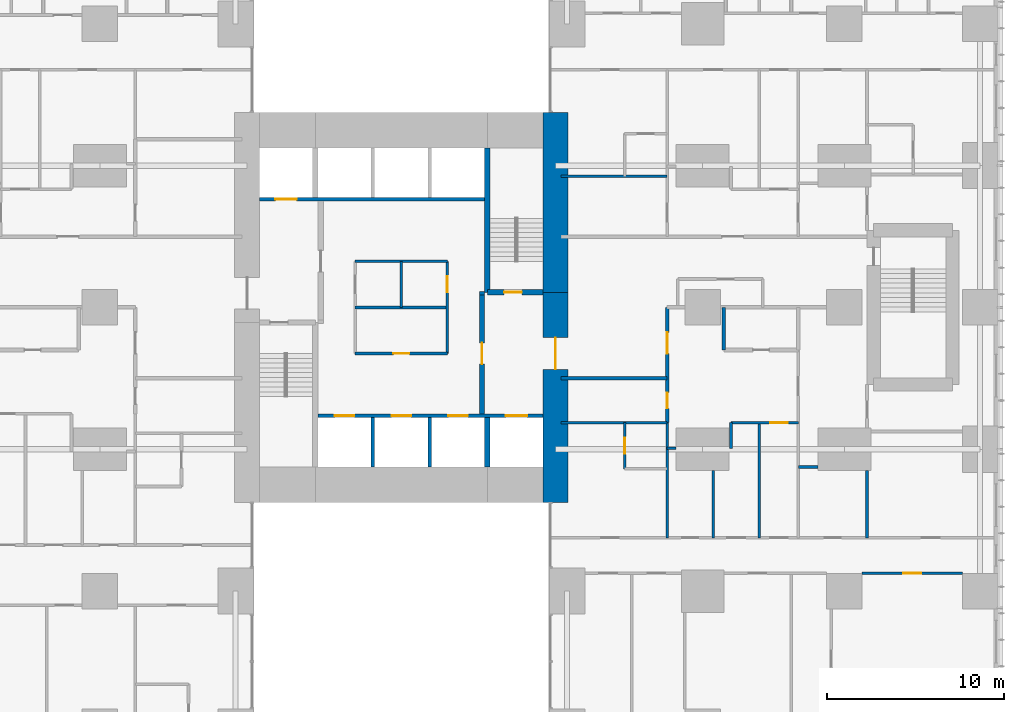
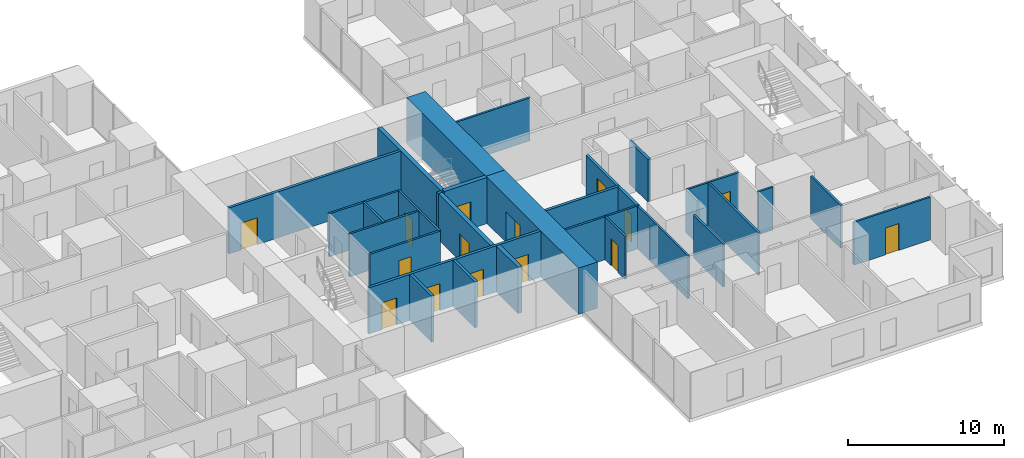
# One storey, part 15 of 20: 31 walls, 15 doors, 15 openings.
"""IFC4 building model written with IfcOpenShell, lengths in metres."""

import ifcopenshell
import ifcopenshell.guid

model = None  # the IFC model being written
_history = None  # IfcOwnerHistory: only IFC2X3 demands one
_inside = {}  # id of a spatial element -> (the spatial element, [elements in it])
_under = {}  # id of a project, library or spatial element -> (it, [spatial elements below it])
_declared = {}  # id of a project -> (the project, [libraries it declares])
_typed = {}  # id of a type object -> (the type object, [elements of that type])
_made_of = {}  # id of a material, layer set ... -> (it, [elements and type objects made of it])


def new_model(schema):
    """Start an empty IFC model of exactly this schema.

    Asked for "IFC4X3", IfcOpenShell would pick the latest addendum, in which some entities
    have other attributes; the version numbers below select the first issue.
    IFC2X3 requires an IfcOwnerHistory on every rooted entity: one is made here for all.
    """
    global model, _history
    if schema == "IFC4X3":
        model = ifcopenshell.file(schema_version=(4, 3, 0, 0))
    else:
        model = ifcopenshell.file(schema=schema)
    _inside.clear()
    _under.clear()
    _declared.clear()
    _typed.clear()
    _made_of.clear()
    _history = None
    if model.schema == "IFC2X3":
        org = make("IfcOrganization", Name="unknown")
        user = make(
            "IfcPersonAndOrganization",
            ThePerson=make("IfcPerson", FamilyName="unknown"),
            TheOrganization=org,
        )
        app = make(
            "IfcApplication",
            ApplicationDeveloper=org,
            Version="unknown",
            ApplicationFullName="unknown",
            ApplicationIdentifier="unknown",
        )
        _history = make(
            "IfcOwnerHistory",
            OwningUser=user,
            OwningApplication=app,
            ChangeAction="ADDED",
            CreationDate=0,
        )
    return model


def make(cls, **values):
    """One entity of the class cls with the attributes given. An attribute that is None is left unset."""
    return model.create_entity(
        cls, **{name: value for name, value in values.items() if value is not None}
    )


def rooted(cls, **values):
    """An entity with a GlobalId (a new one), such as an element, a storey or a relation."""
    return make(cls, GlobalId=ifcopenshell.guid.new(), OwnerHistory=_history, **values)


def si_unit(unit_type, name, prefix=None):
    """IfcSIUnit, for example si_unit("LENGTHUNIT", "METRE", prefix="MILLI")."""
    return make("IfcSIUnit", UnitType=unit_type, Prefix=prefix, Name=name)


def assignment(units):
    """IfcUnitAssignment: the units of a project."""
    return None if units is None else make("IfcUnitAssignment", Units=units)


def point(xyz):
    """IfcCartesianPoint."""
    return None if xyz is None else make("IfcCartesianPoint", Coordinates=xyz)


def direction(xyz):
    """IfcDirection."""
    return None if xyz is None else make("IfcDirection", DirectionRatios=xyz)


def frame(location, z_axis=None, x_axis=None):
    """IfcAxis2Placement3D, a coordinate frame: its origin and axes. An axis left out is left unset."""
    return make(
        "IfcAxis2Placement3D",
        Location=point(location),
        Axis=direction(z_axis),
        RefDirection=direction(x_axis),
    )


def frame_2d(location, x_axis=None):
    """IfcAxis2Placement2D, a coordinate frame in the plane: its origin and x axis."""
    return make(
        "IfcAxis2Placement2D", Location=point(location), RefDirection=direction(x_axis)
    )


def origin():
    """The frame at (0, 0, 0) with its axes left unset."""
    return frame((0.0, 0.0, 0.0))


def place(relative_to, where):
    """IfcLocalPlacement: puts the frame where relative to a parent placement (None: the world)."""
    return make(
        "IfcLocalPlacement", PlacementRelTo=relative_to, RelativePlacement=where
    )


def context(
    kind, dimensions, precision=None, world=None, true_north=None, identifier=None
):
    """IfcGeometricRepresentationContext, for example the 3D "Model" context."""
    return make(
        "IfcGeometricRepresentationContext",
        ContextIdentifier=identifier,
        ContextType=kind,
        CoordinateSpaceDimension=dimensions,
        Precision=precision,
        WorldCoordinateSystem=world,
        TrueNorth=true_north,
    )


def subcontext(parent, identifier, kind, view, scale=None):
    """IfcGeometricRepresentationSubContext, for example "Body" below "Model"."""
    return make(
        "IfcGeometricRepresentationSubContext",
        ContextIdentifier=identifier,
        ContextType=kind,
        ParentContext=parent,
        TargetScale=scale,
        TargetView=view,
    )


def project(units=None, contexts=None):
    """IfcProject with its units and contexts."""
    return rooted(
        "IfcProject",
        Name="project",
        RepresentationContexts=contexts,
        UnitsInContext=assignment(units),
    )


def spatial(cls, under=None, at=None, **own):
    """A site, building, storey or space (cls), placed at a placement, below another one or the project."""
    s = rooted(cls, ObjectPlacement=at, **own)
    if under is not None:
        _under.setdefault(under.id(), (under, []))[1].append(s)
    return s


def profile(cls, at=None, kind="AREA", **sizes):
    """A parametric profile (cls). Its sizes go by their IFC names, for example OverallWidth=200.0."""
    return make(cls, ProfileType=kind, Position=at, **sizes)


def rectangle(**sizes):
    """IfcRectangleProfileDef."""
    return profile("IfcRectangleProfileDef", **sizes)


def extrude(swept, where, along, depth):
    """IfcExtrudedAreaSolid: the profile swept, set in the frame where, extruded along a direction by depth."""
    return make(
        "IfcExtrudedAreaSolid",
        SweptArea=swept,
        Position=where,
        ExtrudedDirection=direction(along),
        Depth=depth,
    )


def shape(context_of_items, identifier, shape_type, items):
    """IfcShapeRepresentation: the items that make up one representation, for example the "Body"."""
    return make(
        "IfcShapeRepresentation",
        ContextOfItems=context_of_items,
        RepresentationIdentifier=identifier,
        RepresentationType=shape_type,
        Items=items,
    )


def material(Name=None, Category=None):
    """IfcMaterial."""
    return make("IfcMaterial", Name=Name, Category=Category)


def layer(
    of_material, thickness, ventilated=None, Name=None, Category=None, Priority=None
):
    """IfcMaterialLayer: one layer of a wall or slab, of a material (None: an air gap)."""
    return make(
        "IfcMaterialLayer",
        Material=of_material,
        LayerThickness=thickness,
        IsVentilated=ventilated,
        Name=Name,
        Category=Category,
        Priority=Priority,
    )


def layer_set(layers, Name=None):
    """IfcMaterialLayerSet."""
    return make("IfcMaterialLayerSet", MaterialLayers=layers, LayerSetName=Name)


def made_of(thing, what):
    """Note that an element or type object is made of a material, layer set ...; save() writes the relation."""
    if what is not None:
        _made_of.setdefault(what.id(), (what, []))[1].append(thing)
    return thing


def type_object(cls, material=None, **own):
    """A type object (cls), such as IfcWallType, which elements share."""
    return made_of(rooted(cls, **own), material)


def element(
    cls,
    number,
    at=None,
    inside=None,
    cuts=None,
    type_object=None,
    material=None,
    context=None,
    identifier="Body",
    shape_type=None,
    held_by="IfcProductDefinitionShape",
    body=None,
    shapes=None,
    **own,
):
    """One element of the class cls, such as IfcWall. Its Tag is "e" and its number.

    at: its placement. inside: the storey or other place that contains it. cuts: it is an
    opening in that element (IfcRelVoidsElement). A single representation is given by context,
    identifier, shape_type and body (its items); several are given by shapes. held_by: the class
    of the entity that holds the representations. save() writes the other relations.
    """
    e = rooted(cls, Tag="e%d" % number, ObjectPlacement=at, **own)
    if body is not None:
        shapes = [shape(context, identifier, shape_type, body)]
    if shapes is not None:
        e.Representation = make(held_by, Representations=shapes)
    if inside is not None:
        _inside.setdefault(inside.id(), (inside, []))[1].append(e)
    if cuts is not None:
        rooted(
            "IfcRelVoidsElement", RelatingBuildingElement=cuts, RelatedOpeningElement=e
        )
    if type_object is not None:
        _typed.setdefault(type_object.id(), (type_object, []))[1].append(e)
    return made_of(e, material)


def fill(opening, filler):
    """IfcRelFillsElement: the door or window that sits in an opening."""
    return rooted(
        "IfcRelFillsElement",
        RelatingOpeningElement=opening,
        RelatedBuildingElement=filler,
    )


def aggregate(whole, parts):
    """IfcRelAggregates: a whole, such as a stair, and the parts it consists of."""
    return rooted("IfcRelAggregates", RelatingObject=whole, RelatedObjects=parts)


def save(model, path):
    """Write the relations noted so far, then the file.

    IfcRelAggregates (storeys below a building ...), IfcRelContainedInSpatialStructure (elements
    in a storey), IfcRelDefinesByType, IfcRelAssociatesMaterial and IfcRelDeclares: one each for
    every whole, place, type object, material and project.
    """
    for whole, parts in _under.values():
        aggregate(whole, parts)
    for where, things in _inside.values():
        rooted(
            "IfcRelContainedInSpatialStructure",
            RelatedElements=things,
            RelatingStructure=where,
        )
    for kind, things in _typed.values():
        rooted("IfcRelDefinesByType", RelatedObjects=things, RelatingType=kind)
    for what, things in _made_of.values():
        rooted("IfcRelAssociatesMaterial", RelatedObjects=things, RelatingMaterial=what)
    for by, libraries in _declared.values():
        rooted("IfcRelDeclares", RelatingContext=by, RelatedDefinitions=libraries)
    model.write(path)


model = new_model("IFC4")

# Units and contexts
model_context = context("Model", 3, precision=1e-05, world=origin(), true_north=direction((0.0, 1.0)))
body_context = subcontext(model_context, "Body", "Model", "MODEL_VIEW")
ifc_project = project(units=[si_unit("LENGTHUNIT", "METRE"), si_unit("AREAUNIT", "SQUARE_METRE"), si_unit("VOLUMEUNIT", "CUBIC_METRE"), si_unit("PLANEANGLEUNIT", "RADIAN"), si_unit("MASSUNIT", "GRAM", prefix="KILO")], contexts=[model_context])

# Site, building, storey
site_placement = place(None, origin())
site = spatial("IfcSite", under=ifc_project, at=site_placement, CompositionType="ELEMENT")
building_placement = place(site_placement, origin())
building = spatial("IfcBuilding", under=site, at=building_placement, Name="Cleftline Residences", CompositionType="ELEMENT")
storey_placement = place(building_placement, frame((0.0, 0.0, 164.60009765625)))
storey = spatial("IfcBuildingStorey", under=building, at=storey_placement, Name="L43", CompositionType="ELEMENT", Elevation=164.60009765625)

# Wall, opening, door
ifc_material_1 = material(Name="Concrete B70", Category="concrete")
ifc_layer_1 = layer(ifc_material_1, 1.39990234375)
ifc_layer_set_1 = layer_set([ifc_layer_1], Name="CORE WALL 1400")
wall_type_1 = type_object("IfcWallType", Name="CORE WALL 1400", PredefinedType="SHEAR", material=ifc_layer_set_1)
wall_1_placement = place(storey_placement, frame((41.699951171875, 13.0, 0.0), z_axis=(0.0, 0.0, 1.0), x_axis=(0.0, 1.0, 0.0)))
wall_1 = element("IfcWall", 1, at=wall_1_placement, inside=storey, type_object=wall_type_1, Name="Core wall E", PredefinedType="SHEAR", context=body_context, shape_type="SweptSolid", body=[
    extrude(rectangle(XDim=11.85009765625, YDim=1.39990234375, at=frame_2d((5.925048828125, 0.0))), origin(), (0.0, 0.0, 1.0), 3.599853515625),
])
opening_1_placement = place(wall_1_placement, frame((7.5, 0.0, 0.0)))
opening_1 = element("IfcOpeningElement", 2, at=opening_1_placement, cuts=wall_1, Name="Opening D7", PredefinedType="OPENING", context=body_context, shape_type="SweptSolid", body=[
    extrude(rectangle(XDim=1.800048828125, YDim=2.39990234375, at=frame_2d((0.89990234375, 1.199951171875))), frame((0.0, 0.7099609375, 0.0), z_axis=(0.0, -1.0, 0.0), x_axis=(1.0, 0.0, 0.0)), (0.0, 0.0, 1.0), 1.419921875),
])
ifc_material_2 = material(Name="Steel", Category="steel")
door_type_1 = type_object("IfcDoorType", Name="WING DOOR 1800X2400", OperationType="DOUBLE_DOOR_DOUBLE_SWING", PredefinedType="DOOR", material=ifc_material_2)
door_1_placement = place(opening_1_placement, origin())
door_1 = element("IfcDoor", 3, at=door_1_placement, inside=storey, type_object=door_type_1, Name="East wing door", OperationType="DOUBLE_DOOR_DOUBLE_SWING", OverallHeight=2.39990234375, OverallWidth=1.800048828125, PredefinedType="DOOR", context=body_context, shape_type="SweptSolid", body=[
    extrude(rectangle(XDim=1.800048828125, YDim=2.39990234375, at=frame_2d((0.89990234375, 1.199951171875))), frame((0.0, 0.02490234375, 0.0), z_axis=(0.0, -1.0, 0.0), x_axis=(1.0, 0.0, 0.0)), (0.0, 0.0, 1.0), 0.050048828125),
])
fill(opening_1, door_1)

# Walls
wall_2_placement = place(storey_placement, frame((41.699951171875, 24.85009765625, 0.0), z_axis=(0.0, 0.0, 1.0), x_axis=(0.0, 1.0, 0.0)))
element("IfcWall", 4, at=wall_2_placement, inside=storey, type_object=wall_type_1, Name="Core wall E1", PredefinedType="SHEAR", context=body_context, shape_type="SweptSolid", body=[
    extrude(rectangle(XDim=10.14990234375, YDim=1.39990234375, at=frame_2d((5.074951171875, 0.0))), origin(), (0.0, 0.0, 1.0), 3.599853515625),
])
ifc_material_3 = material(Name="Concrete B70", Category="concrete")
ifc_layer_2 = layer(ifc_material_3, 0.300048828125)
ifc_layer_set_2 = layer_set([ifc_layer_2], Name="CORE WALL 300")
wall_type_2 = type_object("IfcWallType", Name="CORE WALL 300", PredefinedType="SHEAR", material=ifc_layer_set_2)
wall_3_placement = place(storey_placement, frame((37.85009765625, 24.85009765625, 0.0), z_axis=(0.0, 0.0, 1.0), x_axis=(0.0, 1.0, 0.0)))
element("IfcWall", 5, at=wall_3_placement, inside=storey, type_object=wall_type_2, Name="Core wall SB-W", PredefinedType="SHEAR", context=body_context, shape_type="SweptSolid", body=[
    extrude(rectangle(XDim=8.14990234375, YDim=0.300048828125, at=frame_2d((4.074951171875, 0.0))), origin(), (0.0, 0.0, 1.0), 3.599853515625),
])

# Wall, opening, door
wall_4_placement = place(storey_placement, frame((37.85009765625, 24.85009765625, 0.0), z_axis=(0.0, 0.0, 1.0), x_axis=(1.0, 0.0, 0.0)))
wall_4 = element("IfcWall", 6, at=wall_4_placement, inside=storey, type_object=wall_type_2, Name="Core wall SB-S", PredefinedType="SHEAR", context=body_context, shape_type="SweptSolid", body=[
    extrude(rectangle(XDim=3.14990234375, YDim=0.300048828125, at=frame_2d((1.574951171875, 0.0))), origin(), (0.0, 0.0, 1.0), 3.599853515625),
])
opening_2_placement = place(wall_4_placement, frame((0.949951171875, 0.0, 0.0)))
opening_2 = element("IfcOpeningElement", 7, at=opening_2_placement, cuts=wall_4, Name="Opening D5", PredefinedType="OPENING", context=body_context, shape_type="SweptSolid", body=[
    extrude(rectangle(XDim=1.0, YDim=2.10009765625, at=frame_2d((0.5, 1.050048828125))), frame((0.0, 0.159912109375, 0.0), z_axis=(0.0, -1.0, 0.0), x_axis=(1.0, 0.0, 0.0)), (0.0, 0.0, 1.0), 0.320068359375),
])
ifc_material_4 = material(Name="Steel", Category="steel")
door_type_2 = type_object("IfcDoorType", Name="STAIR DOOR 1000X2100", OperationType="SINGLE_SWING_LEFT", PredefinedType="DOOR", material=ifc_material_4)
door_2_placement = place(opening_2_placement, origin())
door_2 = element("IfcDoor", 8, at=door_2_placement, inside=storey, type_object=door_type_2, Name="Stair B door", OperationType="SINGLE_SWING_RIGHT", OverallHeight=2.10009765625, OverallWidth=1.0, PredefinedType="DOOR", context=body_context, shape_type="SweptSolid", body=[
    extrude(rectangle(XDim=1.0, YDim=2.10009765625, at=frame_2d((0.5, 1.050048828125))), frame((0.0, 0.02490234375, 0.0), z_axis=(0.0, -1.0, 0.0), x_axis=(1.0, 0.0, 0.0)), (0.0, 0.0, 1.0), 0.050048828125),
])
fill(opening_2, door_2)

# Walls
wall_5_placement = place(storey_placement, frame((37.85009765625, 15.0, 0.0), z_axis=(0.0, 0.0, 1.0), x_axis=(0.0, 1.0, 0.0)))
element("IfcWall", 9, at=wall_5_placement, inside=storey, type_object=wall_type_2, Name="Lift shaft wall", PredefinedType="SHEAR", context=body_context, shape_type="SweptSolid", body=[
    extrude(rectangle(XDim=2.800048828125, YDim=0.300048828125, at=frame_2d((1.39990234375, 0.0))), origin(), (0.0, 0.0, 1.0), 3.599853515625),
])
ifc_material_5 = material(Name="Concrete blockwork, fire rated", Category="masonry")
ifc_layer_3 = layer(ifc_material_5, 0.199951171875)
ifc_layer_set_3 = layer_set([ifc_layer_3], Name="FIRE WALL 200")
wall_type_3 = type_object("IfcWallType", Name="FIRE WALL 200", PredefinedType="PARTITIONING", material=ifc_layer_set_3)
wall_6_placement = place(storey_placement, frame((42.0, 20.0, 0.0), z_axis=(0.0, 0.0, 1.0), x_axis=(1.0, 0.0, 0.0)))
element("IfcWall", 10, at=wall_6_placement, inside=storey, type_object=wall_type_3, Name="Fire separating wall", PredefinedType="PARTITIONING", context=body_context, shape_type="SweptSolid", body=[
    extrude(rectangle(XDim=6.0, YDim=0.199951171875, at=frame_2d((3.0, 0.0))), origin(), (0.0, 0.0, 1.0), 3.349853515625),
])

# Wall, openings, doors
wall_7_placement = place(storey_placement, frame((48.0, 17.5, 0.0), z_axis=(0.0, 0.0, 1.0), x_axis=(0.0, 1.0, 0.0)))
wall_7 = element("IfcWall", 11, at=wall_7_placement, inside=storey, type_object=wall_type_3, Name="Fire separating wall", PredefinedType="PARTITIONING", context=body_context, shape_type="SweptSolid", body=[
    extrude(rectangle(XDim=6.5, YDim=0.199951171875, at=frame_2d((3.25, 0.0))), origin(), (0.0, 0.0, 1.0), 3.349853515625),
])
opening_3_placement = place(wall_7_placement, frame((3.89990234375, 0.0, 0.0)))
opening_3 = element("IfcOpeningElement", 12, at=opening_3_placement, cuts=wall_7, Name="Opening D4", PredefinedType="OPENING", context=body_context, shape_type="SweptSolid", body=[
    extrude(rectangle(XDim=1.199951171875, YDim=2.39990234375, at=frame_2d((0.60009765625, 1.199951171875))), frame((0.0, 0.10986328125, 0.0), z_axis=(0.0, -1.0, 0.0), x_axis=(1.0, 0.0, 0.0)), (0.0, 0.0, 1.0), 0.219970703125),
])
opening_4_placement = place(wall_7_placement, frame((0.800048828125, 0.0, 0.0)))
opening_4 = element("IfcOpeningElement", 13, at=opening_4_placement, cuts=wall_7, Name="Opening D1F30", PredefinedType="OPENING", context=body_context, shape_type="SweptSolid", body=[
    extrude(rectangle(XDim=0.89990234375, YDim=2.10009765625, at=frame_2d((0.449951171875, 1.050048828125))), frame((0.0, 0.10986328125, 0.0), z_axis=(0.0, -1.0, 0.0), x_axis=(1.0, 0.0, 0.0)), (0.0, 0.0, 1.0), 0.219970703125),
])
ifc_material_6 = material(Name="Timber veneer on solid core", Category="wood")
door_type_3 = type_object("IfcDoorType", Name="APARTMENT ENTRANCE DOOR 1200X2400", OperationType="SINGLE_SWING_RIGHT", PredefinedType="DOOR", material=ifc_material_6)
door_3_placement = place(opening_3_placement, origin())
door_3 = element("IfcDoor", 14, at=door_3_placement, inside=storey, type_object=door_type_3, Name="Door to residence entrance foyer", OperationType="SINGLE_SWING_LEFT", OverallHeight=2.39990234375, OverallWidth=1.199951171875, PredefinedType="DOOR", context=body_context, shape_type="SweptSolid", body=[
    extrude(rectangle(XDim=1.199951171875, YDim=2.39990234375, at=frame_2d((0.60009765625, 1.199951171875))), frame((0.0, 0.02490234375, 0.0), z_axis=(0.0, -1.0, 0.0), x_axis=(1.0, 0.0, 0.0)), (0.0, 0.0, 1.0), 0.050048828125),
])
fill(opening_3, door_3)
ifc_material_7 = material(Name="Timber veneer on solid core", Category="wood")
door_type_4 = type_object("IfcDoorType", Name="DOOR 900X2100 EI 30", OperationType="SINGLE_SWING_LEFT", PredefinedType="DOOR", material=ifc_material_7)
door_4_placement = place(opening_4_placement, origin())
door_4 = element("IfcDoor", 15, at=door_4_placement, inside=storey, type_object=door_type_4, Name="Door to utility room", OperationType="SINGLE_SWING_RIGHT", OverallHeight=2.10009765625, OverallWidth=0.89990234375, PredefinedType="DOOR", context=body_context, shape_type="SweptSolid", body=[
    extrude(rectangle(XDim=0.89990234375, YDim=2.10009765625, at=frame_2d((0.449951171875, 1.050048828125))), frame((0.0, 0.02490234375, 0.0), z_axis=(0.0, -1.0, 0.0), x_axis=(1.0, 0.0, 0.0)), (0.0, 0.0, 1.0), 0.050048828125),
])
fill(opening_4, door_4)

# Walls
wall_8_placement = place(storey_placement, frame((51.199951171875, 21.60009765625, 0.0), z_axis=(0.0, 0.0, 1.0), x_axis=(0.0, 1.0, 0.0)))
element("IfcWall", 16, at=wall_8_placement, inside=storey, type_object=wall_type_3, Name="Fire separating wall", PredefinedType="PARTITIONING", context=body_context, shape_type="SweptSolid", body=[
    extrude(rectangle(XDim=2.39990234375, YDim=0.199951171875, at=frame_2d((1.199951171875, 0.0))), origin(), (0.0, 0.0, 1.0), 3.349853515625),
])
wall_9_placement = place(storey_placement, frame((37.39990234375, 24.800048828125, 0.0), z_axis=(0.0, 0.0, 1.0), x_axis=(1.0, 0.0, 0.0)))
element("IfcWall", 17, at=wall_9_placement, inside=storey, type_object=wall_type_3, Name="Fire separating wall", PredefinedType="PARTITIONING", context=body_context, shape_type="SweptSolid", body=[
    extrude(rectangle(XDim=0.300048828125, YDim=0.199951171875, at=frame_2d((0.14990234375, 0.0))), origin(), (0.0, 0.0, 1.0), 3.599853515625),
])

# Wall, opening, door
ifc_material_8 = material(Name="Gypsum board on steel studs", Category="steel")
ifc_layer_4 = layer(ifc_material_8, 0.14990234375)
ifc_layer_set_4 = layer_set([ifc_layer_4], Name="PARTITION 150")
wall_type_4 = type_object("IfcWallType", Name="PARTITION 150", PredefinedType="PARTITIONING", material=ifc_layer_set_4)
wall_10_placement = place(storey_placement, frame((59.0, 9.0, 0.0), z_axis=(0.0, 0.0, 1.0), x_axis=(1.0, 0.0, 0.0)))
wall_10 = element("IfcWall", 18, at=wall_10_placement, inside=storey, type_object=wall_type_4, Name="Partition", PredefinedType="PARTITIONING", context=body_context, shape_type="SweptSolid", body=[
    extrude(rectangle(XDim=5.64990234375, YDim=0.14990234375, at=frame_2d((2.824951171875, 0.0))), origin(), (0.0, 0.0, 1.0), 3.349853515625),
])
opening_5_placement = place(wall_10_placement, frame((2.324951171875, 0.0, 0.0)))
opening_5 = element("IfcOpeningElement", 19, at=opening_5_placement, cuts=wall_10, Name="Opening D2", PredefinedType="OPENING", context=body_context, shape_type="SweptSolid", body=[
    extrude(rectangle(XDim=1.0, YDim=2.10009765625, at=frame_2d((0.5, 1.050048828125))), frame((0.0, 0.0849609375, 0.0), z_axis=(0.0, -1.0, 0.0), x_axis=(1.0, 0.0, 0.0)), (0.0, 0.0, 1.0), 0.169921875),
])
ifc_material_9 = material(Name="Timber veneer on solid core", Category="wood")
door_type_5 = type_object("IfcDoorType", Name="DOOR 1000X2100", OperationType="SINGLE_SWING_LEFT", PredefinedType="DOOR", material=ifc_material_9)
door_5_placement = place(opening_5_placement, origin())
door_5 = element("IfcDoor", 20, at=door_5_placement, inside=storey, type_object=door_type_5, Name="Door to sea-view living room", OperationType="SINGLE_SWING_LEFT", OverallHeight=2.10009765625, OverallWidth=1.0, PredefinedType="DOOR", context=body_context, shape_type="SweptSolid", body=[
    extrude(rectangle(XDim=1.0, YDim=2.10009765625, at=frame_2d((0.5, 1.050048828125))), frame((0.0, 0.02490234375, 0.0), z_axis=(0.0, -1.0, 0.0), x_axis=(1.0, 0.0, 0.0)), (0.0, 0.0, 1.0), 0.050048828125),
])
fill(opening_5, door_5)

# Walls
wall_11_placement = place(storey_placement, frame((55.39990234375, 15.0, 0.0), z_axis=(0.0, 0.0, 1.0), x_axis=(1.0, 0.0, 0.0)))
element("IfcWall", 21, at=wall_11_placement, inside=storey, type_object=wall_type_4, Name="Partition", PredefinedType="PARTITIONING", context=body_context, shape_type="SweptSolid", body=[
    extrude(rectangle(XDim=1.10009765625, YDim=0.14990234375, at=frame_2d((0.550048828125, 0.0))), origin(), (0.0, 0.0, 1.0), 3.349853515625),
])
wall_12_placement = place(storey_placement, frame((48.0, 16.050048828125, 0.0), z_axis=(0.0, 0.0, 1.0), x_axis=(1.0, 0.0, 0.0)))
element("IfcWall", 22, at=wall_12_placement, inside=storey, type_object=wall_type_4, Name="Partition", PredefinedType="PARTITIONING", context=body_context, shape_type="SweptSolid", body=[
    extrude(rectangle(XDim=0.5, YDim=0.14990234375, at=frame_2d((0.25, 0.0))), origin(), (0.0, 0.0, 1.0), 2.6337890625),
])
wall_13_placement = place(storey_placement, frame((42.0, 17.5, 0.0), z_axis=(0.0, 0.0, 1.0), x_axis=(1.0, 0.0, 0.0)))
element("IfcWall", 23, at=wall_13_placement, inside=storey, type_object=wall_type_4, Name="Partition", PredefinedType="PARTITIONING", context=body_context, shape_type="SweptSolid", body=[
    extrude(rectangle(XDim=6.0, YDim=0.14990234375, at=frame_2d((3.0, 0.0))), origin(), (0.0, 0.0, 1.0), 3.349853515625),
])

# Wall, opening, door
wall_14_placement = place(storey_placement, frame((51.60009765625, 17.5, 0.0), z_axis=(0.0, 0.0, 1.0), x_axis=(1.0, 0.0, 0.0)))
wall_14 = element("IfcWall", 24, at=wall_14_placement, inside=storey, type_object=wall_type_4, Name="Partition", PredefinedType="PARTITIONING", context=body_context, shape_type="SweptSolid", body=[
    extrude(rectangle(XDim=3.7998046875, YDim=0.14990234375, at=frame_2d((1.89990234375, 0.0))), origin(), (0.0, 0.0, 1.0), 3.349853515625),
])
opening_6_placement = place(wall_14_placement, frame((2.199951171875, 0.0, 0.0)))
opening_6 = element("IfcOpeningElement", 25, at=opening_6_placement, cuts=wall_14, Name="Opening D2", PredefinedType="OPENING", context=body_context, shape_type="SweptSolid", body=[
    extrude(rectangle(XDim=1.0, YDim=2.10009765625, at=frame_2d((0.5, 1.050048828125))), frame((0.0, 0.0849609375, 0.0), z_axis=(0.0, -1.0, 0.0), x_axis=(1.0, 0.0, 0.0)), (0.0, 0.0, 1.0), 0.169921875),
])
door_6_placement = place(opening_6_placement, origin())
door_6 = element("IfcDoor", 26, at=door_6_placement, inside=storey, type_object=door_type_5, Name="Door to residence passage", OperationType="SINGLE_SWING_LEFT", OverallHeight=2.10009765625, OverallWidth=1.0, PredefinedType="DOOR", context=body_context, shape_type="SweptSolid", body=[
    extrude(rectangle(XDim=1.0, YDim=2.10009765625, at=frame_2d((0.5, 1.050048828125))), frame((0.0, 0.02490234375, 0.0), z_axis=(0.0, -1.0, 0.0), x_axis=(1.0, 0.0, 0.0)), (0.0, 0.0, 1.0), 0.050048828125),
])
fill(opening_6, door_6)

# Wall
wall_15_placement = place(storey_placement, frame((42.0, 31.39990234375, 0.0), z_axis=(0.0, 0.0, 1.0), x_axis=(1.0, 0.0, 0.0)))
element("IfcWall", 27, at=wall_15_placement, inside=storey, type_object=wall_type_4, Name="Partition", PredefinedType="PARTITIONING", context=body_context, shape_type="SweptSolid", body=[
    extrude(rectangle(XDim=6.0, YDim=0.14990234375, at=frame_2d((3.0, 0.0))), origin(), (0.0, 0.0, 1.0), 3.349853515625),
])

# Wall, opening, door
wall_16_placement = place(storey_placement, frame((45.60009765625, 14.89990234375, 0.0), z_axis=(0.0, 0.0, 1.0), x_axis=(0.0, 1.0, 0.0)))
wall_16 = element("IfcWall", 28, at=wall_16_placement, inside=storey, type_object=wall_type_4, Name="Partition", PredefinedType="PARTITIONING", context=body_context, shape_type="SweptSolid", body=[
    extrude(rectangle(XDim=2.60009765625, YDim=0.14990234375, at=frame_2d((1.300048828125, 0.0))), origin(), (0.0, 0.0, 1.0), 3.349853515625),
])
opening_7_placement = place(wall_16_placement, frame((0.85009765625, 0.0, 0.0)))
opening_7 = element("IfcOpeningElement", 29, at=opening_7_placement, cuts=wall_16, Name="Opening D1", PredefinedType="OPENING", context=body_context, shape_type="SweptSolid", body=[
    extrude(rectangle(XDim=0.89990234375, YDim=2.10009765625, at=frame_2d((0.449951171875, 1.050048828125))), frame((0.0, 0.0849609375, 0.0), z_axis=(0.0, -1.0, 0.0), x_axis=(1.0, 0.0, 0.0)), (0.0, 0.0, 1.0), 0.169921875),
])
ifc_material_10 = material(Name="Timber veneer on solid core", Category="wood")
door_type_6 = type_object("IfcDoorType", Name="DOOR 900X2100", OperationType="SINGLE_SWING_LEFT", PredefinedType="DOOR", material=ifc_material_10)
door_7_placement = place(opening_7_placement, origin())
door_7 = element("IfcDoor", 30, at=door_7_placement, inside=storey, type_object=door_type_6, Name="Door to staff shower room", OperationType="SINGLE_SWING_LEFT", OverallHeight=2.10009765625, OverallWidth=0.89990234375, PredefinedType="DOOR", context=body_context, shape_type="SweptSolid", body=[
    extrude(rectangle(XDim=0.89990234375, YDim=2.10009765625, at=frame_2d((0.449951171875, 1.050048828125))), frame((0.0, 0.02490234375, 0.0), z_axis=(0.0, -1.0, 0.0), x_axis=(1.0, 0.0, 0.0)), (0.0, 0.0, 1.0), 0.050048828125),
])
fill(opening_7, door_7)

# Walls
wall_17_placement = place(storey_placement, frame((48.0, 11.0, 0.0), z_axis=(0.0, 0.0, 1.0), x_axis=(0.0, 1.0, 0.0)))
element("IfcWall", 31, at=wall_17_placement, inside=storey, type_object=wall_type_4, Name="Partition", PredefinedType="PARTITIONING", context=body_context, shape_type="SweptSolid", body=[
    extrude(rectangle(XDim=6.5, YDim=0.14990234375, at=frame_2d((3.25, 0.0))), origin(), (0.0, 0.0, 1.0), 3.349853515625),
])
wall_18_placement = place(storey_placement, frame((50.60009765625, 11.0, 0.0), z_axis=(0.0, 0.0, 1.0), x_axis=(0.0, 1.0, 0.0)))
element("IfcWall", 32, at=wall_18_placement, inside=storey, type_object=wall_type_4, Name="Partition", PredefinedType="PARTITIONING", context=body_context, shape_type="SweptSolid", body=[
    extrude(rectangle(XDim=3.800048828125, YDim=0.14990234375, at=frame_2d((1.89990234375, 0.0))), origin(), (0.0, 0.0, 1.0), 3.349853515625),
])
wall_19_placement = place(storey_placement, frame((51.60009765625, 16.050048828125, 0.0), z_axis=(0.0, 0.0, 1.0), x_axis=(0.0, 1.0, 0.0)))
element("IfcWall", 33, at=wall_19_placement, inside=storey, type_object=wall_type_4, Name="Partition", PredefinedType="PARTITIONING", context=body_context, shape_type="SweptSolid", body=[
    extrude(rectangle(XDim=1.449951171875, YDim=0.14990234375, at=frame_2d((0.72509765625, 0.0))), origin(), (0.0, 0.0, 1.0), 3.349853515625),
])
wall_20_placement = place(storey_placement, frame((53.199951171875, 11.0, 0.0), z_axis=(0.0, 0.0, 1.0), x_axis=(0.0, 1.0, 0.0)))
element("IfcWall", 34, at=wall_20_placement, inside=storey, type_object=wall_type_4, Name="Partition", PredefinedType="PARTITIONING", context=body_context, shape_type="SweptSolid", body=[
    extrude(rectangle(XDim=6.5, YDim=0.14990234375, at=frame_2d((3.25, 0.0))), origin(), (0.0, 0.0, 1.0), 3.349853515625),
])
wall_21_placement = place(storey_placement, frame((59.27490234375, 11.0, 0.0), z_axis=(0.0, 0.0, 1.0), x_axis=(0.0, 1.0, 0.0)))
element("IfcWall", 35, at=wall_21_placement, inside=storey, type_object=wall_type_4, Name="Partition", PredefinedType="PARTITIONING", context=body_context, shape_type="SweptSolid", body=[
    extrude(rectangle(XDim=3.800048828125, YDim=0.14990234375, at=frame_2d((1.89990234375, 0.0))), origin(), (0.0, 0.0, 1.0), 3.349853515625),
])

# Wall, opening, door
ifc_material_11 = material(Name="Fire-resisting gypsum board on steel studs", Category="steel")
ifc_layer_5 = layer(ifc_material_11, 0.14990234375)
ifc_layer_set_5 = layer_set([ifc_layer_5], Name="PARTITION 150 EI 60")
wall_type_5 = type_object("IfcWallType", Name="PARTITION 150 EI 60", PredefinedType="PARTITIONING", material=ifc_layer_set_5)
wall_22_placement = place(storey_placement, frame((30.39990234375, 21.39990234375, 0.0), z_axis=(0.0, 0.0, 1.0), x_axis=(1.0, 0.0, 0.0)))
wall_22 = element("IfcWall", 36, at=wall_22_placement, inside=storey, type_object=wall_type_5, Name="Core room partition", PredefinedType="PARTITIONING", context=body_context, shape_type="SweptSolid", body=[
    extrude(rectangle(XDim=5.2001953125, YDim=0.14990234375, at=frame_2d((2.60009765625, 0.0))), origin(), (0.0, 0.0, 1.0), 3.349853515625),
])
opening_8_placement = place(wall_22_placement, frame((2.14990234375, 0.0, 0.0)))
opening_8 = element("IfcOpeningElement", 37, at=opening_8_placement, cuts=wall_22, Name="Opening D1F30", PredefinedType="OPENING", context=body_context, shape_type="SweptSolid", body=[
    extrude(rectangle(XDim=0.89990234375, YDim=2.10009765625, at=frame_2d((0.449951171875, 1.050048828125))), frame((0.0, 0.0849609375, 0.0), z_axis=(0.0, -1.0, 0.0), x_axis=(1.0, 0.0, 0.0)), (0.0, 0.0, 1.0), 0.169921875),
])
door_8_placement = place(opening_8_placement, origin())
door_8 = element("IfcDoor", 38, at=door_8_placement, inside=storey, type_object=door_type_4, Name="Door to cleaner's store", OperationType="SINGLE_SWING_LEFT", OverallHeight=2.10009765625, OverallWidth=0.89990234375, PredefinedType="DOOR", context=body_context, shape_type="SweptSolid", body=[
    extrude(rectangle(XDim=0.89990234375, YDim=2.10009765625, at=frame_2d((0.449951171875, 1.050048828125))), frame((0.0, 0.02490234375, 0.0), z_axis=(0.0, -1.0, 0.0), x_axis=(1.0, 0.0, 0.0)), (0.0, 0.0, 1.0), 0.050048828125),
])
fill(opening_8, door_8)

# Wall
wall_23_placement = place(storey_placement, frame((30.39990234375, 26.60009765625, 0.0), z_axis=(0.0, 0.0, 1.0), x_axis=(1.0, 0.0, 0.0)))
element("IfcWall", 39, at=wall_23_placement, inside=storey, type_object=wall_type_5, Name="Core room partition", PredefinedType="PARTITIONING", context=body_context, shape_type="SweptSolid", body=[
    extrude(rectangle(XDim=5.2001953125, YDim=0.14990234375, at=frame_2d((2.60009765625, 0.0))), origin(), (0.0, 0.0, 1.0), 3.349853515625),
])

# Wall, opening, door
wall_24_placement = place(storey_placement, frame((35.60009765625, 21.39990234375, 0.0), z_axis=(0.0, 0.0, 1.0), x_axis=(0.0, 1.0, 0.0)))
wall_24 = element("IfcWall", 40, at=wall_24_placement, inside=storey, type_object=wall_type_5, Name="Core room partition", PredefinedType="PARTITIONING", context=body_context, shape_type="SweptSolid", body=[
    extrude(rectangle(XDim=5.2001953125, YDim=0.14990234375, at=frame_2d((2.60009765625, 0.0))), origin(), (0.0, 0.0, 1.0), 3.349853515625),
])
opening_9_placement = place(wall_24_placement, frame((3.449951171875, 0.0, 0.0)))
opening_9 = element("IfcOpeningElement", 41, at=opening_9_placement, cuts=wall_24, Name="Opening D1F30", PredefinedType="OPENING", context=body_context, shape_type="SweptSolid", body=[
    extrude(rectangle(XDim=0.89990234375, YDim=2.10009765625, at=frame_2d((0.449951171875, 1.050048828125))), frame((0.0, 0.0849609375, 0.0), z_axis=(0.0, -1.0, 0.0), x_axis=(1.0, 0.0, 0.0)), (0.0, 0.0, 1.0), 0.169921875),
])
door_9_placement = place(opening_9_placement, origin())
door_9 = element("IfcDoor", 42, at=door_9_placement, inside=storey, type_object=door_type_4, Name="Door to maintenance store", OperationType="SINGLE_SWING_LEFT", OverallHeight=2.10009765625, OverallWidth=0.89990234375, PredefinedType="DOOR", context=body_context, shape_type="SweptSolid", body=[
    extrude(rectangle(XDim=0.89990234375, YDim=2.10009765625, at=frame_2d((0.449951171875, 1.050048828125))), frame((0.0, 0.02490234375, 0.0), z_axis=(0.0, -1.0, 0.0), x_axis=(1.0, 0.0, 0.0)), (0.0, 0.0, 1.0), 0.050048828125),
])
fill(opening_9, door_9)

# Walls
wall_25_placement = place(storey_placement, frame((30.39990234375, 24.0, 0.0), z_axis=(0.0, 0.0, 1.0), x_axis=(1.0, 0.0, 0.0)))
element("IfcWall", 43, at=wall_25_placement, inside=storey, type_object=wall_type_5, Name="Core room partition", PredefinedType="PARTITIONING", context=body_context, shape_type="SweptSolid", body=[
    extrude(rectangle(XDim=5.2001953125, YDim=0.14990234375, at=frame_2d((2.60009765625, 0.0))), origin(), (0.0, 0.0, 1.0), 3.349853515625),
])
wall_26_placement = place(storey_placement, frame((33.0, 24.0, 0.0), z_axis=(0.0, 0.0, 1.0), x_axis=(0.0, 1.0, 0.0)))
element("IfcWall", 44, at=wall_26_placement, inside=storey, type_object=wall_type_5, Name="Core room partition", PredefinedType="PARTITIONING", context=body_context, shape_type="SweptSolid", body=[
    extrude(rectangle(XDim=2.60009765625, YDim=0.14990234375, at=frame_2d((1.300048828125, 0.0))), origin(), (0.0, 0.0, 1.0), 3.349853515625),
])

# Wall, openings, doors
ifc_material_12 = material(Name="Concrete blockwork, fire rated", Category="masonry")
ifc_layer_6 = layer(ifc_material_12, 0.199951171875)
ifc_layer_set_6 = layer_set([ifc_layer_6], Name="SHAFT WALL 200")
wall_type_6 = type_object("IfcWallType", Name="SHAFT WALL 200", PredefinedType="PARTITIONING", material=ifc_layer_set_6)
wall_27_placement = place(storey_placement, frame((28.300048828125, 17.89990234375, 0.0), z_axis=(0.0, 0.0, 1.0), x_axis=(1.0, 0.0, 0.0)))
wall_27 = element("IfcWall", 45, at=wall_27_placement, inside=storey, type_object=wall_type_6, Name="Lift shaft wall", PredefinedType="PARTITIONING", context=body_context, shape_type="SweptSolid", body=[
    extrude(rectangle(XDim=12.699951171875, YDim=0.199951171875, at=frame_2d((6.35009765625, 0.0))), origin(), (0.0, 0.0, 1.0), 3.599853515625),
])
opening_10_placement = place(wall_27_placement, frame((0.949951171875, 0.0, 0.0)))
opening_10 = element("IfcOpeningElement", 46, at=opening_10_placement, cuts=wall_27, Name="Opening LD1", PredefinedType="OPENING", context=body_context, shape_type="SweptSolid", body=[
    extrude(rectangle(XDim=1.10009765625, YDim=2.10009765625, at=frame_2d((0.550048828125, 1.050048828125))), frame((0.0, 0.10986328125, 0.0), z_axis=(0.0, -1.0, 0.0), x_axis=(1.0, 0.0, 0.0)), (0.0, 0.0, 1.0), 0.219970703125),
])
opening_11_placement = place(wall_27_placement, frame((4.14990234375, 0.0, 0.0)))
opening_11 = element("IfcOpeningElement", 47, at=opening_11_placement, cuts=wall_27, Name="Opening LD1", PredefinedType="OPENING", context=body_context, shape_type="SweptSolid", body=[
    extrude(rectangle(XDim=1.10009765625, YDim=2.10009765625, at=frame_2d((0.550048828125, 1.050048828125))), frame((0.0, 0.10986328125, 0.0), z_axis=(0.0, -1.0, 0.0), x_axis=(1.0, 0.0, 0.0)), (0.0, 0.0, 1.0), 0.219970703125),
])
opening_12_placement = place(wall_27_placement, frame((7.35009765625, 0.0, 0.0)))
opening_12 = element("IfcOpeningElement", 48, at=opening_12_placement, cuts=wall_27, Name="Opening LD1", PredefinedType="OPENING", context=body_context, shape_type="SweptSolid", body=[
    extrude(rectangle(XDim=1.10009765625, YDim=2.10009765625, at=frame_2d((0.550048828125, 1.050048828125))), frame((0.0, 0.10986328125, 0.0), z_axis=(0.0, -1.0, 0.0), x_axis=(1.0, 0.0, 0.0)), (0.0, 0.0, 1.0), 0.219970703125),
])
opening_13_placement = place(wall_27_placement, frame((10.60009765625, 0.0, 0.0)))
opening_13 = element("IfcOpeningElement", 49, at=opening_13_placement, cuts=wall_27, Name="Opening LD2", PredefinedType="OPENING", context=body_context, shape_type="SweptSolid", body=[
    extrude(rectangle(XDim=1.199951171875, YDim=2.10009765625, at=frame_2d((0.60009765625, 1.050048828125))), frame((0.0, 0.10986328125, 0.0), z_axis=(0.0, -1.0, 0.0), x_axis=(1.0, 0.0, 0.0)), (0.0, 0.0, 1.0), 0.219970703125),
])
ifc_material_13 = material(Name="Steel", Category="steel")
door_type_7 = type_object("IfcDoorType", Name="FIREFIGHTING LIFT LANDING DOOR 1200X2100", OperationType="SLIDING_TO_LEFT", PredefinedType="DOOR", material=ifc_material_13)
door_10_placement = place(opening_13_placement, origin())
door_10 = element("IfcDoor", 50, at=door_10_placement, inside=storey, type_object=door_type_7, Name="Lift FL2 landing door", OperationType="SLIDING_TO_LEFT", OverallHeight=2.10009765625, OverallWidth=1.199951171875, PredefinedType="DOOR", context=body_context, shape_type="SweptSolid", body=[
    extrude(rectangle(XDim=1.199951171875, YDim=2.10009765625, at=frame_2d((0.60009765625, 1.050048828125))), frame((0.0, 0.02490234375, 0.0), z_axis=(0.0, -1.0, 0.0), x_axis=(1.0, 0.0, 0.0)), (0.0, 0.0, 1.0), 0.050048828125),
])
fill(opening_13, door_10)
ifc_material_14 = material(Name="Steel", Category="steel")
door_type_8 = type_object("IfcDoorType", Name="LIFT LANDING DOOR 1100X2100", OperationType="SLIDING_TO_LEFT", PredefinedType="DOOR", material=ifc_material_14)
door_11_placement = place(opening_10_placement, origin())
door_11 = element("IfcDoor", 51, at=door_11_placement, inside=storey, type_object=door_type_8, Name="Lift P1 landing door", OperationType="SLIDING_TO_LEFT", OverallHeight=2.10009765625, OverallWidth=1.10009765625, PredefinedType="DOOR", context=body_context, shape_type="SweptSolid", body=[
    extrude(rectangle(XDim=1.10009765625, YDim=2.10009765625, at=frame_2d((0.550048828125, 1.050048828125))), frame((0.0, 0.02490234375, 0.0), z_axis=(0.0, -1.0, 0.0), x_axis=(1.0, 0.0, 0.0)), (0.0, 0.0, 1.0), 0.050048828125),
])
fill(opening_10, door_11)
door_12_placement = place(opening_11_placement, origin())
door_12 = element("IfcDoor", 52, at=door_12_placement, inside=storey, type_object=door_type_8, Name="Lift P2 landing door", OperationType="SLIDING_TO_LEFT", OverallHeight=2.10009765625, OverallWidth=1.10009765625, PredefinedType="DOOR", context=body_context, shape_type="SweptSolid", body=[
    extrude(rectangle(XDim=1.10009765625, YDim=2.10009765625, at=frame_2d((0.550048828125, 1.050048828125))), frame((0.0, 0.02490234375, 0.0), z_axis=(0.0, -1.0, 0.0), x_axis=(1.0, 0.0, 0.0)), (0.0, 0.0, 1.0), 0.050048828125),
])
fill(opening_11, door_12)
door_13_placement = place(opening_12_placement, origin())
door_13 = element("IfcDoor", 53, at=door_13_placement, inside=storey, type_object=door_type_8, Name="Lift P3 landing door", OperationType="SLIDING_TO_LEFT", OverallHeight=2.10009765625, OverallWidth=1.10009765625, PredefinedType="DOOR", context=body_context, shape_type="SweptSolid", body=[
    extrude(rectangle(XDim=1.10009765625, YDim=2.10009765625, at=frame_2d((0.550048828125, 1.050048828125))), frame((0.0, 0.02490234375, 0.0), z_axis=(0.0, -1.0, 0.0), x_axis=(1.0, 0.0, 0.0)), (0.0, 0.0, 1.0), 0.050048828125),
])
fill(opening_12, door_13)

# Wall, opening, door
wall_28_placement = place(storey_placement, frame((25.0, 30.10009765625, 0.0), z_axis=(0.0, 0.0, 1.0), x_axis=(1.0, 0.0, 0.0)))
wall_28 = element("IfcWall", 54, at=wall_28_placement, inside=storey, type_object=wall_type_6, Name="Lift shaft wall", PredefinedType="PARTITIONING", context=body_context, shape_type="SweptSolid", body=[
    extrude(rectangle(XDim=12.699951171875, YDim=0.199951171875, at=frame_2d((6.35009765625, 0.0))), origin(), (0.0, 0.0, 1.0), 3.599853515625),
])
opening_14_placement = place(wall_28_placement, frame((0.89990234375, 0.0, 0.0)))
opening_14 = element("IfcOpeningElement", 55, at=opening_14_placement, cuts=wall_28, Name="Opening LD2", PredefinedType="OPENING", context=body_context, shape_type="SweptSolid", body=[
    extrude(rectangle(XDim=1.199951171875, YDim=2.10009765625, at=frame_2d((0.60009765625, 1.050048828125))), frame((0.0, 0.10986328125, 0.0), z_axis=(0.0, -1.0, 0.0), x_axis=(1.0, 0.0, 0.0)), (0.0, 0.0, 1.0), 0.219970703125),
])
door_14_placement = place(opening_14_placement, origin())
door_14 = element("IfcDoor", 56, at=door_14_placement, inside=storey, type_object=door_type_7, Name="Lift FL1 landing door", OperationType="SLIDING_TO_LEFT", OverallHeight=2.10009765625, OverallWidth=1.199951171875, PredefinedType="DOOR", context=body_context, shape_type="SweptSolid", body=[
    extrude(rectangle(XDim=1.199951171875, YDim=2.10009765625, at=frame_2d((0.60009765625, 1.050048828125))), frame((0.0, 0.02490234375, 0.0), z_axis=(0.0, -1.0, 0.0), x_axis=(1.0, 0.0, 0.0)), (0.0, 0.0, 1.0), 0.050048828125),
])
fill(opening_14, door_14)

# Walls
for number, where, z_axis, x_axis, name in (
    (57, (31.39990234375, 15.0, 0.0), (0.0, 0.0, 1.0), (0.0, 1.0, 0.0), "Lift shaft wall"),
    (58, (34.60009765625, 15.0, 0.0), (0.0, 0.0, 1.0), (0.0, 1.0, 0.0), "Lift shaft wall"),
):
    element("IfcWall", number, at=place(storey_placement, frame(where, z_axis=z_axis, x_axis=x_axis)), inside=storey, type_object=wall_type_6, Name=name, PredefinedType="PARTITIONING", context=body_context, shape_type="SweptSolid", body=[
        extrude(rectangle(XDim=2.800048828125, YDim=0.199951171875, at=frame_2d((1.39990234375, 0.0))), origin(), (0.0, 0.0, 1.0), 3.599853515625),
    ])

# Wall, opening, door
ifc_material_15 = material(Name="Concrete blockwork, fire rated", Category="masonry")
ifc_layer_7 = layer(ifc_material_15, 0.300048828125)
ifc_layer_set_7 = layer_set([ifc_layer_7], Name="STAIR LOBBY WALL 300")
wall_type_7 = type_object("IfcWallType", Name="STAIR LOBBY WALL 300", PredefinedType="PARTITIONING", material=ifc_layer_set_7)
wall_29_placement = place(storey_placement, frame((37.550048828125, 18.0, 0.0), z_axis=(0.0, 0.0, 1.0), x_axis=(0.0, 1.0, 0.0)))
wall_29 = element("IfcWall", 59, at=wall_29_placement, inside=storey, type_object=wall_type_7, Name="Stair and lobby wall FB-W", PredefinedType="PARTITIONING", context=body_context, shape_type="SweptSolid", body=[
    extrude(rectangle(XDim=6.699951171875, YDim=0.300048828125, at=frame_2d((3.35009765625, 0.0))), origin(), (0.0, 0.0, 1.0), 3.599853515625),
])
opening_15_placement = place(wall_29_placement, frame((2.800048828125, 0.0, 0.0)))
opening_15 = element("IfcOpeningElement", 60, at=opening_15_placement, cuts=wall_29, Name="Opening D6", PredefinedType="OPENING", context=body_context, shape_type="SweptSolid", body=[
    extrude(rectangle(XDim=1.199951171875, YDim=2.10009765625, at=frame_2d((0.60009765625, 1.050048828125))), frame((0.0, 0.159912109375, 0.0), z_axis=(0.0, -1.0, 0.0), x_axis=(1.0, 0.0, 0.0)), (0.0, 0.0, 1.0), 0.320068359375),
])
ifc_material_16 = material(Name="Steel", Category="steel")
door_type_9 = type_object("IfcDoorType", Name="LOBBY DOOR 1200X2100", OperationType="SINGLE_SWING_RIGHT", PredefinedType="DOOR", material=ifc_material_16)
door_15_placement = place(opening_15_placement, origin())
door_15 = element("IfcDoor", 61, at=door_15_placement, inside=storey, type_object=door_type_9, Name="Firefighting lobby B door", OperationType="SINGLE_SWING_LEFT", OverallHeight=2.10009765625, OverallWidth=1.199951171875, PredefinedType="DOOR", context=body_context, shape_type="SweptSolid", body=[
    extrude(rectangle(XDim=1.199951171875, YDim=2.10009765625, at=frame_2d((0.60009765625, 1.050048828125))), frame((0.0, 0.02490234375, 0.0), z_axis=(0.0, -1.0, 0.0), x_axis=(1.0, 0.0, 0.0)), (0.0, 0.0, 1.0), 0.050048828125),
])
fill(opening_15, door_15)

save(model, "model.ifc")
